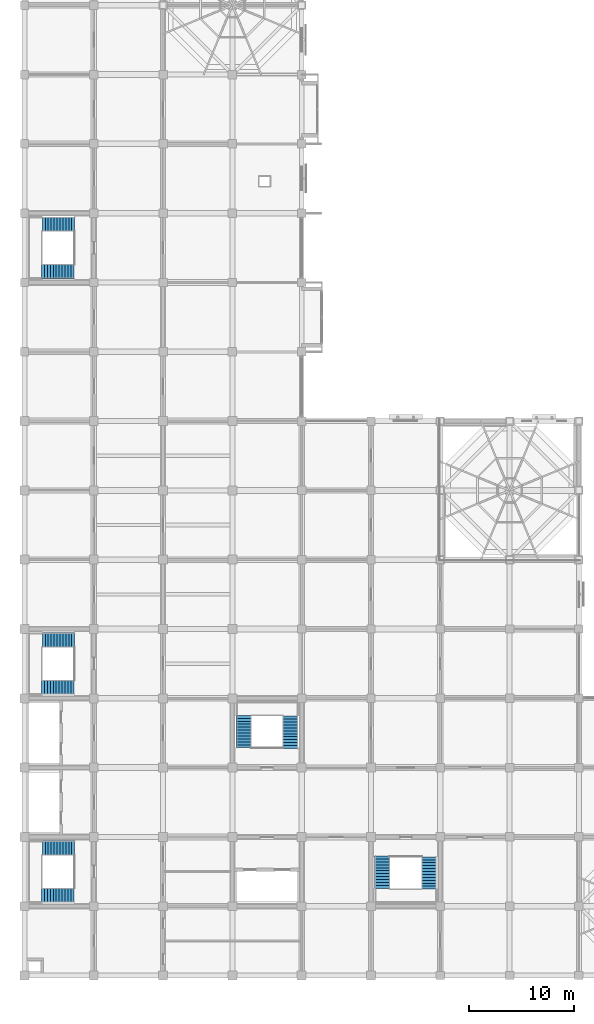
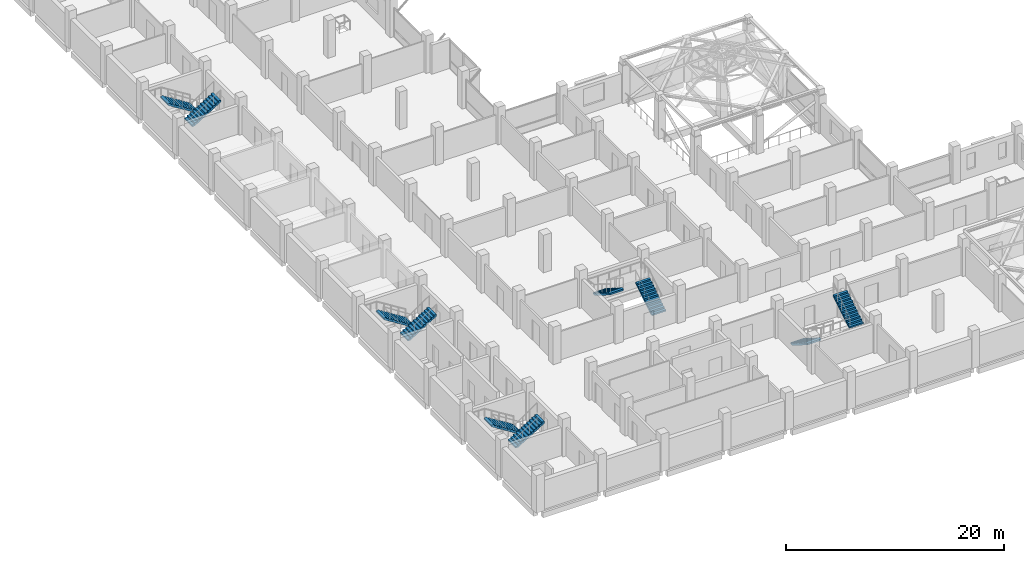
# One storey, part 20 of 25: 10 stair flights, 5 elements without a shape of their own.
"""IFC4 building model written with IfcOpenShell, lengths in metres."""

from ifc_helpers import new_model, si_unit, direction, frame, origin, place, context, subcontext, project, spatial, polyline, outline, extrude, material, type_object, element, aggregate, save


model = new_model("IFC4")

# Units and contexts
model_context = context("Model", 3, precision=1e-05, world=origin(), true_north=direction((0.0, 1.0)))
body_context = subcontext(model_context, "Body", "Model", "MODEL_VIEW")
ifc_project = project(units=[si_unit("LENGTHUNIT", "METRE"), si_unit("AREAUNIT", "SQUARE_METRE"), si_unit("VOLUMEUNIT", "CUBIC_METRE"), si_unit("PLANEANGLEUNIT", "RADIAN"), si_unit("MASSUNIT", "GRAM", prefix="KILO")], contexts=[model_context])

# Site, building, storey
site_placement = place(None, origin())
site = spatial("IfcSite", under=ifc_project, at=site_placement, CompositionType="ELEMENT")
building_placement = place(site_placement, origin())
building = spatial("IfcBuilding", under=site, at=building_placement, Name="Rusizi Kubbe Research Institute", CompositionType="ELEMENT")
storey_placement = place(building_placement, frame((0.0, 0.0, 14.39990234375)))
storey = spatial("IfcBuildingStorey", under=building, at=storey_placement, Name="L03", CompositionType="ELEMENT", Elevation=14.39990234375)

# Stair, stair flights
ifc_material_1 = material(Name="Concrete C40/50", Category="concrete")
stair_type_1 = type_object("IfcStairType", Name="ST-H420A", PredefinedType="HALF_TURN_STAIR", material=ifc_material_1)
stair_1_placement = place(storey_placement, origin())
stair_1 = element("IfcStair", 1, at=stair_1_placement, inside=storey, type_object=stair_type_1, Name="Protected Exit Stair ST1 (L03)", PredefinedType="HALF_TURN_STAIR")
ifc_material_2 = material(Name="Concrete C40/50", Category="concrete")
stair_flight_type_1 = type_object("IfcStairFlightType", Name="FL-H420A", PredefinedType="STRAIGHT", material=ifc_material_2)
stair_flight_1_placement = place(storey_placement, frame((4.780029296875, 12.14990234375, 0.0), z_axis=(0.0, 0.0, 1.0), x_axis=(-1.0, 0.0, 0.0)))
stair_flight_1 = element("IfcStairFlight", 2, at=stair_flight_1_placement, type_object=stair_flight_type_1, Name="ST1 flight 1", NumberOfRisers=12, NumberOfTreads=11, PredefinedType="STRAIGHT", RiserHeight=0.175, TreadLength=0.28, context=body_context, shape_type="SweptSolid", body=[
    extrude(outline(polyline([(0.0, 0.0), (0.0, 0.175048828125), (0.280029296875, 0.175048828125), (0.280029296875, 0.35009765625), (0.56005859375, 0.35009765625), (0.56005859375, 0.52490234375), (0.840087890625, 0.52490234375), (0.840087890625, 0.699951171875), (1.1201171875, 0.699951171875), (1.1201171875, 0.875), (1.39990234375, 0.875), (1.39990234375, 1.050048828125), (1.679931640625, 1.050048828125), (1.679931640625, 1.22509765625), (1.9599609375, 1.22509765625), (1.9599609375, 1.39990234375), (2.239990234375, 1.39990234375), (2.239990234375, 1.574951171875), (2.52001953125, 1.574951171875), (2.52001953125, 1.75), (2.800048828125, 1.75), (2.800048828125, 1.925048828125), (3.080078125, 1.925048828125), (3.080078125, 2.10009765625), (3.080078125, 1.736328125), (0.3017578125, 0.0), (0.0, 0.0)])), frame((0.0, 0.699951171875, 0.0), z_axis=(0.0, -1.0, 0.0), x_axis=(1.0, 0.0, 0.0)), (0.0, 0.0, 1.0), 1.39990234375),
])
stair_flight_2_placement = place(storey_placement, frame((1.6259765625, 7.64990234375, 2.10009765625), z_axis=(0.0, 0.0, 1.0), x_axis=(1.0, 0.0, 0.0)))
stair_flight_2 = element("IfcStairFlight", 3, at=stair_flight_2_placement, type_object=stair_flight_type_1, Name="ST1 flight 2", NumberOfRisers=12, NumberOfTreads=11, PredefinedType="STRAIGHT", RiserHeight=0.175, TreadLength=0.28, context=body_context, shape_type="SweptSolid", body=[
    extrude(outline(polyline([(0.0, 0.0), (0.0, 0.175048828125), (0.280029296875, 0.175048828125), (0.280029296875, 0.35009765625), (0.56005859375, 0.35009765625), (0.56005859375, 0.52490234375), (0.840087890625, 0.52490234375), (0.840087890625, 0.699951171875), (1.1201171875, 0.699951171875), (1.1201171875, 0.875), (1.39990234375, 0.875), (1.39990234375, 1.050048828125), (1.679931640625, 1.050048828125), (1.679931640625, 1.22509765625), (1.9599609375, 1.22509765625), (1.9599609375, 1.39990234375), (2.239990234375, 1.39990234375), (2.239990234375, 1.574951171875), (2.52001953125, 1.574951171875), (2.52001953125, 1.75), (2.800048828125, 1.75), (2.800048828125, 1.925048828125), (3.080078125, 1.925048828125), (3.080078125, 2.10009765625), (3.080078125, 1.736328125), (0.3017578125, 0.0), (0.0, 0.0)])), frame((0.0, 0.699951171875, 0.0), z_axis=(0.0, -1.0, 0.0), x_axis=(1.0, 0.0, 0.0)), (0.0, 0.0, 1.0), 1.39990234375),
])
aggregate(stair_1, [stair_flight_1, stair_flight_2])

stair_2_placement = place(storey_placement, origin())
stair_2 = element("IfcStair", 4, at=stair_2_placement, inside=storey, type_object=stair_type_1, Name="Protected Exit Stair ST2 (L03)", PredefinedType="HALF_TURN_STAIR")
stair_flight_3_placement = place(storey_placement, frame((4.780029296875, 31.949951171875, 0.0), z_axis=(0.0, 0.0, 1.0), x_axis=(-1.0, 0.0, 0.0)))
stair_flight_3 = element("IfcStairFlight", 5, at=stair_flight_3_placement, type_object=stair_flight_type_1, Name="ST2 flight 1", NumberOfRisers=12, NumberOfTreads=11, PredefinedType="STRAIGHT", RiserHeight=0.175, TreadLength=0.28, context=body_context, shape_type="SweptSolid", body=[
    extrude(outline(polyline([(0.0, 0.0), (0.0, 0.175048828125), (0.280029296875, 0.175048828125), (0.280029296875, 0.35009765625), (0.56005859375, 0.35009765625), (0.56005859375, 0.52490234375), (0.840087890625, 0.52490234375), (0.840087890625, 0.699951171875), (1.1201171875, 0.699951171875), (1.1201171875, 0.875), (1.39990234375, 0.875), (1.39990234375, 1.050048828125), (1.679931640625, 1.050048828125), (1.679931640625, 1.22509765625), (1.9599609375, 1.22509765625), (1.9599609375, 1.39990234375), (2.239990234375, 1.39990234375), (2.239990234375, 1.574951171875), (2.52001953125, 1.574951171875), (2.52001953125, 1.75), (2.800048828125, 1.75), (2.800048828125, 1.925048828125), (3.080078125, 1.925048828125), (3.080078125, 2.10009765625), (3.080078125, 1.736328125), (0.3017578125, 0.0), (0.0, 0.0)])), frame((0.0, 0.699951171875, 0.0), z_axis=(0.0, -1.0, 0.0), x_axis=(1.0, 0.0, 0.0)), (0.0, 0.0, 1.0), 1.39990234375),
])
stair_flight_4_placement = place(storey_placement, frame((1.6259765625, 27.449951171875, 2.10009765625), z_axis=(0.0, 0.0, 1.0), x_axis=(1.0, 0.0, 0.0)))
stair_flight_4 = element("IfcStairFlight", 6, at=stair_flight_4_placement, type_object=stair_flight_type_1, Name="ST2 flight 2", NumberOfRisers=12, NumberOfTreads=11, PredefinedType="STRAIGHT", RiserHeight=0.175, TreadLength=0.28, context=body_context, shape_type="SweptSolid", body=[
    extrude(outline(polyline([(0.0, 0.0), (0.0, 0.175048828125), (0.280029296875, 0.175048828125), (0.280029296875, 0.35009765625), (0.56005859375, 0.35009765625), (0.56005859375, 0.52490234375), (0.840087890625, 0.52490234375), (0.840087890625, 0.699951171875), (1.1201171875, 0.699951171875), (1.1201171875, 0.875), (1.39990234375, 0.875), (1.39990234375, 1.050048828125), (1.679931640625, 1.050048828125), (1.679931640625, 1.22509765625), (1.9599609375, 1.22509765625), (1.9599609375, 1.39990234375), (2.239990234375, 1.39990234375), (2.239990234375, 1.574951171875), (2.52001953125, 1.574951171875), (2.52001953125, 1.75), (2.800048828125, 1.75), (2.800048828125, 1.925048828125), (3.080078125, 1.925048828125), (3.080078125, 2.10009765625), (3.080078125, 1.736328125), (0.3017578125, 0.0), (0.0, 0.0)])), frame((0.0, 0.699951171875, 0.0), z_axis=(0.0, -1.0, 0.0), x_axis=(1.0, 0.0, 0.0)), (0.0, 0.0, 1.0), 1.39990234375),
])
aggregate(stair_2, [stair_flight_3, stair_flight_4])

stair_3_placement = place(storey_placement, origin())
stair_3 = element("IfcStair", 7, at=stair_3_placement, inside=storey, type_object=stair_type_1, Name="Protected Exit Stair ST5 (L03)", PredefinedType="HALF_TURN_STAIR")
stair_flight_5_placement = place(storey_placement, frame((4.780029296875, 71.550048828125, 0.0), z_axis=(0.0, 0.0, 1.0), x_axis=(-1.0, 0.0, 0.0)))
stair_flight_5 = element("IfcStairFlight", 8, at=stair_flight_5_placement, type_object=stair_flight_type_1, Name="ST5 flight 1", NumberOfRisers=12, NumberOfTreads=11, PredefinedType="STRAIGHT", RiserHeight=0.175, TreadLength=0.28, context=body_context, shape_type="SweptSolid", body=[
    extrude(outline(polyline([(0.0, 0.0), (0.0, 0.175048828125), (0.280029296875, 0.175048828125), (0.280029296875, 0.35009765625), (0.56005859375, 0.35009765625), (0.56005859375, 0.52490234375), (0.840087890625, 0.52490234375), (0.840087890625, 0.699951171875), (1.1201171875, 0.699951171875), (1.1201171875, 0.875), (1.39990234375, 0.875), (1.39990234375, 1.050048828125), (1.679931640625, 1.050048828125), (1.679931640625, 1.22509765625), (1.9599609375, 1.22509765625), (1.9599609375, 1.39990234375), (2.239990234375, 1.39990234375), (2.239990234375, 1.574951171875), (2.52001953125, 1.574951171875), (2.52001953125, 1.75), (2.800048828125, 1.75), (2.800048828125, 1.925048828125), (3.080078125, 1.925048828125), (3.080078125, 2.10009765625), (3.080078125, 1.736328125), (0.3017578125, 0.0), (0.0, 0.0)])), frame((0.0, 0.699951171875, 0.0), z_axis=(0.0, -1.0, 0.0), x_axis=(1.0, 0.0, 0.0)), (0.0, 0.0, 1.0), 1.39990234375),
])
stair_flight_6_placement = place(storey_placement, frame((1.6259765625, 67.050048828125, 2.10009765625), z_axis=(0.0, 0.0, 1.0), x_axis=(1.0, 0.0, 0.0)))
stair_flight_6 = element("IfcStairFlight", 9, at=stair_flight_6_placement, type_object=stair_flight_type_1, Name="ST5 flight 2", NumberOfRisers=12, NumberOfTreads=11, PredefinedType="STRAIGHT", RiserHeight=0.175, TreadLength=0.28, context=body_context, shape_type="SweptSolid", body=[
    extrude(outline(polyline([(0.0, 0.0), (0.0, 0.175048828125), (0.280029296875, 0.175048828125), (0.280029296875, 0.35009765625), (0.56005859375, 0.35009765625), (0.56005859375, 0.52490234375), (0.840087890625, 0.52490234375), (0.840087890625, 0.699951171875), (1.1201171875, 0.699951171875), (1.1201171875, 0.875), (1.39990234375, 0.875), (1.39990234375, 1.050048828125), (1.679931640625, 1.050048828125), (1.679931640625, 1.22509765625), (1.9599609375, 1.22509765625), (1.9599609375, 1.39990234375), (2.239990234375, 1.39990234375), (2.239990234375, 1.574951171875), (2.52001953125, 1.574951171875), (2.52001953125, 1.75), (2.800048828125, 1.75), (2.800048828125, 1.925048828125), (3.080078125, 1.925048828125), (3.080078125, 2.10009765625), (3.080078125, 1.736328125), (0.3017578125, 0.0), (0.0, 0.0)])), frame((0.0, 0.699951171875, 0.0), z_axis=(0.0, -1.0, 0.0), x_axis=(1.0, 0.0, 0.0)), (0.0, 0.0, 1.0), 1.39990234375),
])
aggregate(stair_3, [stair_flight_5, stair_flight_6])

ifc_material_3 = material(Name="Concrete C40/50", Category="concrete")
stair_type_2 = type_object("IfcStairType", Name="ST-H420B", PredefinedType="HALF_TURN_STAIR", material=ifc_material_3)
stair_4_placement = place(storey_placement, origin())
stair_4 = element("IfcStair", 10, at=stair_4_placement, inside=storey, type_object=stair_type_2, Name="Protected Exit Stair ST3 (L03)", PredefinedType="HALF_TURN_STAIR")
ifc_material_4 = material(Name="Concrete C40/50", Category="concrete")
stair_flight_type_2 = type_object("IfcStairFlightType", Name="FL-H420B", PredefinedType="STRAIGHT", material=ifc_material_4)
stair_flight_7_placement = place(storey_placement, frame((25.324951171875, 21.6201171875, 0.0), z_axis=(0.0, 0.0, 1.0), x_axis=(0.0, 1.0, 0.0)))
stair_flight_7 = element("IfcStairFlight", 11, at=stair_flight_7_placement, type_object=stair_flight_type_2, Name="ST3 flight 1", NumberOfRisers=12, NumberOfTreads=11, PredefinedType="STRAIGHT", RiserHeight=0.175, TreadLength=0.28, context=body_context, shape_type="SweptSolid", body=[
    extrude(outline(polyline([(0.0, 0.0), (0.0, 0.175048828125), (0.280029296875, 0.175048828125), (0.280029296875, 0.35009765625), (0.56005859375, 0.35009765625), (0.56005859375, 0.52490234375), (0.840087890625, 0.52490234375), (0.840087890625, 0.699951171875), (1.1201171875, 0.699951171875), (1.1201171875, 0.875), (1.39990234375, 0.875), (1.39990234375, 1.050048828125), (1.679931640625, 1.050048828125), (1.679931640625, 1.22509765625), (1.9599609375, 1.22509765625), (1.9599609375, 1.39990234375), (2.239990234375, 1.39990234375), (2.239990234375, 1.574951171875), (2.52001953125, 1.574951171875), (2.52001953125, 1.75), (2.800048828125, 1.75), (2.800048828125, 1.925048828125), (3.080078125, 1.925048828125), (3.080078125, 2.10009765625), (3.080078125, 1.736328125), (0.3017578125, 0.0), (0.0, 0.0)])), frame((0.0, 0.72509765625, 0.0), z_axis=(0.0, -1.0, 0.0), x_axis=(1.0, 0.0, 0.0)), (0.0, 0.0, 1.0), 1.449951171875),
])
stair_flight_8_placement = place(storey_placement, frame((20.875, 24.77392578125, 2.10009765625), z_axis=(0.0, 0.0, 1.0), x_axis=(0.0, -1.0, 0.0)))
stair_flight_8 = element("IfcStairFlight", 12, at=stair_flight_8_placement, type_object=stair_flight_type_2, Name="ST3 flight 2", NumberOfRisers=12, NumberOfTreads=11, PredefinedType="STRAIGHT", RiserHeight=0.175, TreadLength=0.28, context=body_context, shape_type="SweptSolid", body=[
    extrude(outline(polyline([(0.0, 0.0), (0.0, 0.175048828125), (0.280029296875, 0.175048828125), (0.280029296875, 0.35009765625), (0.56005859375, 0.35009765625), (0.56005859375, 0.52490234375), (0.840087890625, 0.52490234375), (0.840087890625, 0.699951171875), (1.1201171875, 0.699951171875), (1.1201171875, 0.875), (1.39990234375, 0.875), (1.39990234375, 1.050048828125), (1.679931640625, 1.050048828125), (1.679931640625, 1.22509765625), (1.9599609375, 1.22509765625), (1.9599609375, 1.39990234375), (2.239990234375, 1.39990234375), (2.239990234375, 1.574951171875), (2.52001953125, 1.574951171875), (2.52001953125, 1.75), (2.800048828125, 1.75), (2.800048828125, 1.925048828125), (3.080078125, 1.925048828125), (3.080078125, 2.10009765625), (3.080078125, 1.736328125), (0.3017578125, 0.0), (0.0, 0.0)])), frame((0.0, 0.72509765625, 0.0), z_axis=(0.0, -1.0, 0.0), x_axis=(1.0, 0.0, 0.0)), (0.0, 0.0, 1.0), 1.449951171875),
])
aggregate(stair_4, [stair_flight_7, stair_flight_8])

stair_5_placement = place(storey_placement, origin())
stair_5 = element("IfcStair", 13, at=stair_5_placement, inside=storey, type_object=stair_type_2, Name="Protected Exit Stair ST4 (L03)", PredefinedType="HALF_TURN_STAIR")
stair_flight_9_placement = place(storey_placement, frame((34.074951171875, 11.3798828125, 0.0), z_axis=(0.0, 0.0, 1.0), x_axis=(0.0, -1.0, 0.0)))
stair_flight_9 = element("IfcStairFlight", 14, at=stair_flight_9_placement, type_object=stair_flight_type_2, Name="ST4 flight 1", NumberOfRisers=12, NumberOfTreads=11, PredefinedType="STRAIGHT", RiserHeight=0.175, TreadLength=0.28, context=body_context, shape_type="SweptSolid", body=[
    extrude(outline(polyline([(0.0, 0.0), (0.0, 0.175048828125), (0.280029296875, 0.175048828125), (0.280029296875, 0.35009765625), (0.56005859375, 0.35009765625), (0.56005859375, 0.52490234375), (0.840087890625, 0.52490234375), (0.840087890625, 0.699951171875), (1.1201171875, 0.699951171875), (1.1201171875, 0.875), (1.39990234375, 0.875), (1.39990234375, 1.050048828125), (1.679931640625, 1.050048828125), (1.679931640625, 1.22509765625), (1.9599609375, 1.22509765625), (1.9599609375, 1.39990234375), (2.239990234375, 1.39990234375), (2.239990234375, 1.574951171875), (2.52001953125, 1.574951171875), (2.52001953125, 1.75), (2.800048828125, 1.75), (2.800048828125, 1.925048828125), (3.080078125, 1.925048828125), (3.080078125, 2.10009765625), (3.080078125, 1.736328125), (0.3017578125, 0.0), (0.0, 0.0)])), frame((0.0, 0.72509765625, 0.0), z_axis=(0.0, -1.0, 0.0), x_axis=(1.0, 0.0, 0.0)), (0.0, 0.0, 1.0), 1.449951171875),
])
stair_flight_10_placement = place(storey_placement, frame((38.52490234375, 8.22607421875, 2.10009765625), z_axis=(0.0, 0.0, 1.0), x_axis=(0.0, 1.0, 0.0)))
stair_flight_10 = element("IfcStairFlight", 15, at=stair_flight_10_placement, type_object=stair_flight_type_2, Name="ST4 flight 2", NumberOfRisers=12, NumberOfTreads=11, PredefinedType="STRAIGHT", RiserHeight=0.175, TreadLength=0.28, context=body_context, shape_type="SweptSolid", body=[
    extrude(outline(polyline([(0.0, 0.0), (0.0, 0.175048828125), (0.280029296875, 0.175048828125), (0.280029296875, 0.35009765625), (0.56005859375, 0.35009765625), (0.56005859375, 0.52490234375), (0.840087890625, 0.52490234375), (0.840087890625, 0.699951171875), (1.1201171875, 0.699951171875), (1.1201171875, 0.875), (1.39990234375, 0.875), (1.39990234375, 1.050048828125), (1.679931640625, 1.050048828125), (1.679931640625, 1.22509765625), (1.9599609375, 1.22509765625), (1.9599609375, 1.39990234375), (2.239990234375, 1.39990234375), (2.239990234375, 1.574951171875), (2.52001953125, 1.574951171875), (2.52001953125, 1.75), (2.800048828125, 1.75), (2.800048828125, 1.925048828125), (3.080078125, 1.925048828125), (3.080078125, 2.10009765625), (3.080078125, 1.736328125), (0.3017578125, 0.0), (0.0, 0.0)])), frame((0.0, 0.72509765625, 0.0), z_axis=(0.0, -1.0, 0.0), x_axis=(1.0, 0.0, 0.0)), (0.0, 0.0, 1.0), 1.449951171875),
])
aggregate(stair_5, [stair_flight_9, stair_flight_10])

save(model, "model.ifc")
